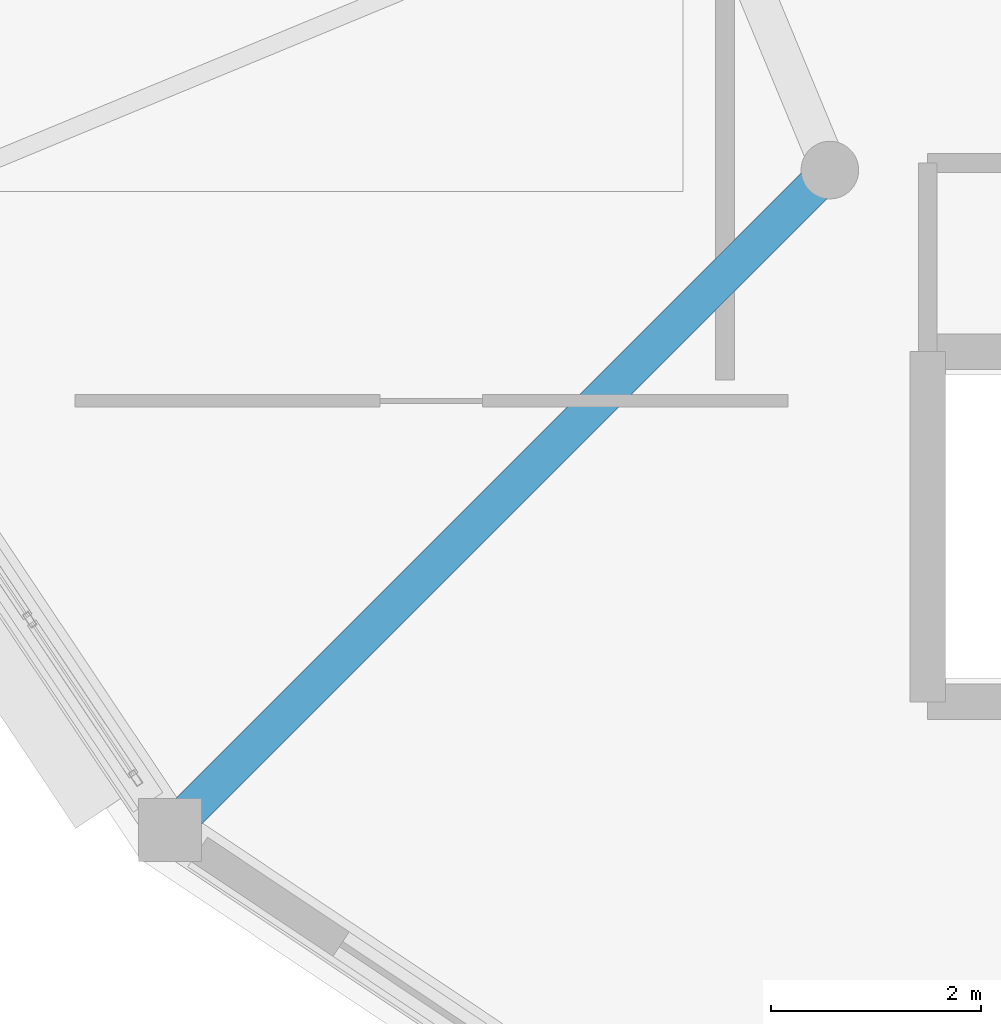
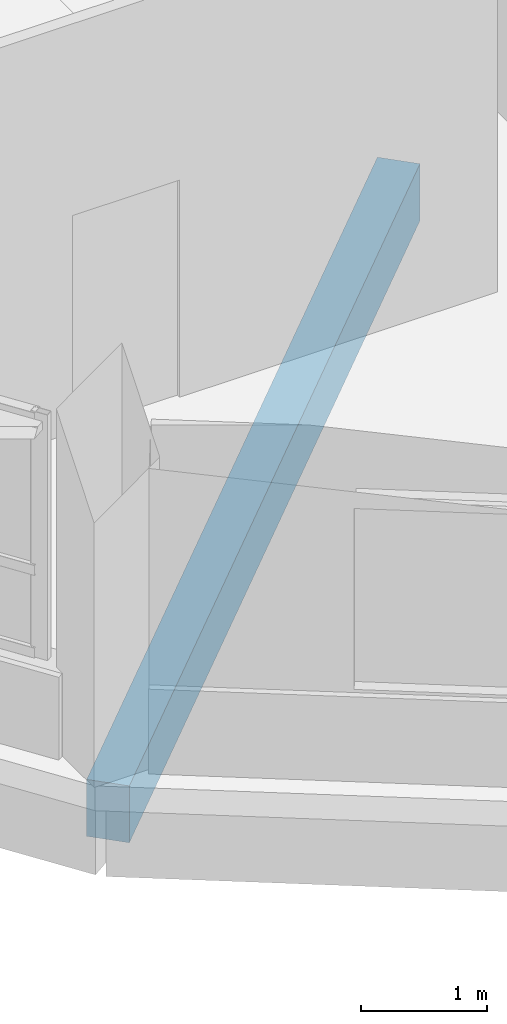
# One storey, part 76 of 128: 1 beam.
"""IFC4 building model written with IfcOpenShell, lengths in metres."""

from ifc_helpers import new_model, si_unit, direction, frame, origin, origin_2d, place, context, subcontext, project, spatial, rectangle, extrude, material, material_profile, profile_set, type_object, element, save


model = new_model("IFC4")

# Units and contexts
model_context = context("Model", 3, precision=1e-05, world=origin(), true_north=direction((0.0, 1.0)))
body_context = subcontext(model_context, "Body", "Model", "MODEL_VIEW")
ifc_project = project(units=[si_unit("LENGTHUNIT", "METRE"), si_unit("AREAUNIT", "SQUARE_METRE"), si_unit("VOLUMEUNIT", "CUBIC_METRE"), si_unit("PLANEANGLEUNIT", "RADIAN"), si_unit("MASSUNIT", "GRAM", prefix="KILO")], contexts=[model_context])

# Site, building, storey
site_placement = place(None, origin())
site = spatial("IfcSite", under=ifc_project, at=site_placement, CompositionType="ELEMENT")
building_placement = place(site_placement, origin())
building = spatial("IfcBuilding", under=site, at=building_placement, Name="Vespera Passage Community Centre", CompositionType="ELEMENT")
storey_placement = place(building_placement, frame((0.0, 0.0, 4.5)))
storey = spatial("IfcBuildingStorey", under=building, at=storey_placement, Name="L01", CompositionType="ELEMENT", Elevation=4.5)

# Beam
ifc_material = material(Name="Concrete f'c 35 MPa", Category="concrete")
ifc_material_profile = material_profile(ifc_material, rectangle(XDim=0.35009765625, YDim=0.550048828125, at=origin_2d()), Name="RC350X550")
ifc_profile_set = profile_set([ifc_material_profile], Name="Concrete f'c 35 MPa")
beam_type = type_object("IfcBeamType", Name="BM-J-350X550", PredefinedType="JOIST", material=ifc_profile_set)
beam_placement = place(storey_placement, frame((135.20166015625, 19.20166015625, -0.514892578125), z_axis=(-0.707106781187, -0.707106781187, 0.0), x_axis=(0.707106781187, -0.707106781187, 0.0)))
element("IfcBeam", 1, at=beam_placement, inside=storey, type_object=beam_type, Name="V3 L01 Radial Girder 6", PredefinedType="JOIST", context=body_context, shape_type="SweptSolid", body=[
    extrude(rectangle(XDim=0.35009765625, YDim=0.550048828125, at=origin_2d()), origin(), (0.0, 0.0, 1.0), 8.89990234375),
])

save(model, "model.ifc")
